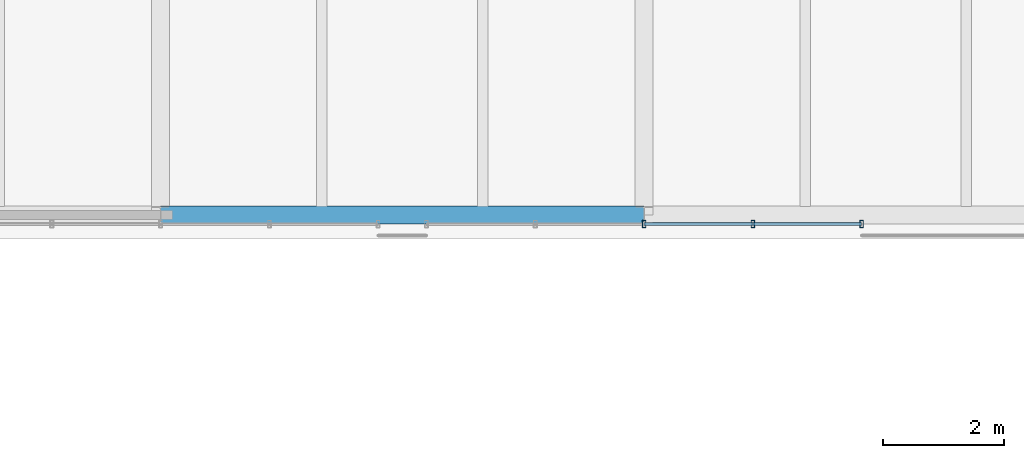
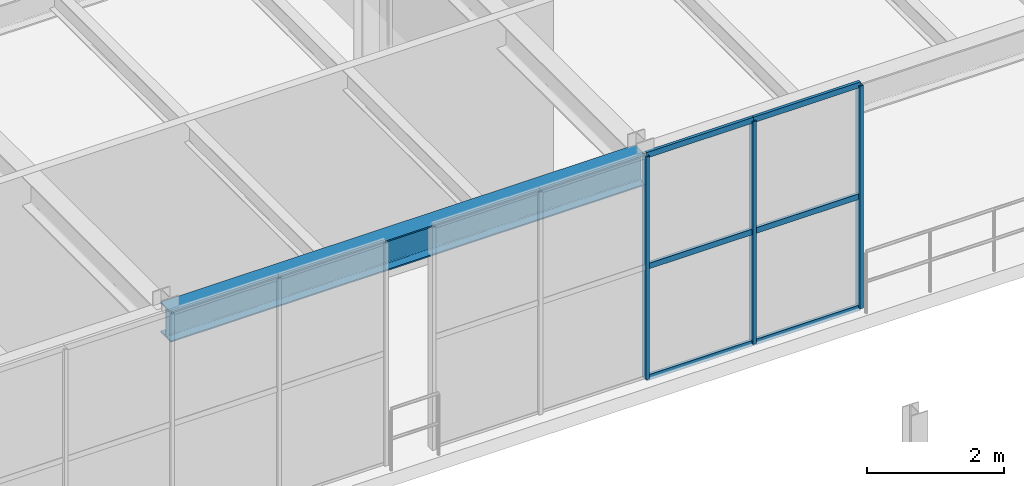
# One storey, part 48 of 122: 9 members, 1 beam, 1 element without a shape of its own.
"""IFC4 building model written with IfcOpenShell, lengths in metres."""

import ifcopenshell
import ifcopenshell.guid

model = None  # the IFC model being written
_history = None  # IfcOwnerHistory: only IFC2X3 demands one
_inside = {}  # id of a spatial element -> (the spatial element, [elements in it])
_under = {}  # id of a project, library or spatial element -> (it, [spatial elements below it])
_declared = {}  # id of a project -> (the project, [libraries it declares])
_typed = {}  # id of a type object -> (the type object, [elements of that type])
_made_of = {}  # id of a material, layer set ... -> (it, [elements and type objects made of it])


def new_model(schema):
    """Start an empty IFC model of exactly this schema.

    Asked for "IFC4X3", IfcOpenShell would pick the latest addendum, in which some entities
    have other attributes; the version numbers below select the first issue.
    IFC2X3 requires an IfcOwnerHistory on every rooted entity: one is made here for all.
    """
    global model, _history
    if schema == "IFC4X3":
        model = ifcopenshell.file(schema_version=(4, 3, 0, 0))
    else:
        model = ifcopenshell.file(schema=schema)
    _inside.clear()
    _under.clear()
    _declared.clear()
    _typed.clear()
    _made_of.clear()
    _history = None
    if model.schema == "IFC2X3":
        org = make("IfcOrganization", Name="unknown")
        user = make(
            "IfcPersonAndOrganization",
            ThePerson=make("IfcPerson", FamilyName="unknown"),
            TheOrganization=org,
        )
        app = make(
            "IfcApplication",
            ApplicationDeveloper=org,
            Version="unknown",
            ApplicationFullName="unknown",
            ApplicationIdentifier="unknown",
        )
        _history = make(
            "IfcOwnerHistory",
            OwningUser=user,
            OwningApplication=app,
            ChangeAction="ADDED",
            CreationDate=0,
        )
    return model


def make(cls, **values):
    """One entity of the class cls with the attributes given. An attribute that is None is left unset."""
    return model.create_entity(
        cls, **{name: value for name, value in values.items() if value is not None}
    )


def rooted(cls, **values):
    """An entity with a GlobalId (a new one), such as an element, a storey or a relation."""
    return make(cls, GlobalId=ifcopenshell.guid.new(), OwnerHistory=_history, **values)


def si_unit(unit_type, name, prefix=None):
    """IfcSIUnit, for example si_unit("LENGTHUNIT", "METRE", prefix="MILLI")."""
    return make("IfcSIUnit", UnitType=unit_type, Prefix=prefix, Name=name)


def assignment(units):
    """IfcUnitAssignment: the units of a project."""
    return None if units is None else make("IfcUnitAssignment", Units=units)


def point(xyz):
    """IfcCartesianPoint."""
    return None if xyz is None else make("IfcCartesianPoint", Coordinates=xyz)


def direction(xyz):
    """IfcDirection."""
    return None if xyz is None else make("IfcDirection", DirectionRatios=xyz)


def frame(location, z_axis=None, x_axis=None):
    """IfcAxis2Placement3D, a coordinate frame: its origin and axes. An axis left out is left unset."""
    return make(
        "IfcAxis2Placement3D",
        Location=point(location),
        Axis=direction(z_axis),
        RefDirection=direction(x_axis),
    )


def frame_2d(location, x_axis=None):
    """IfcAxis2Placement2D, a coordinate frame in the plane: its origin and x axis."""
    return make(
        "IfcAxis2Placement2D", Location=point(location), RefDirection=direction(x_axis)
    )


def origin():
    """The frame at (0, 0, 0) with its axes left unset."""
    return frame((0.0, 0.0, 0.0))


def origin_2d():
    """The frame at (0, 0) in the plane with its x axis left unset."""
    return frame_2d((0.0, 0.0))


def place(relative_to, where):
    """IfcLocalPlacement: puts the frame where relative to a parent placement (None: the world)."""
    return make(
        "IfcLocalPlacement", PlacementRelTo=relative_to, RelativePlacement=where
    )


def context(
    kind, dimensions, precision=None, world=None, true_north=None, identifier=None
):
    """IfcGeometricRepresentationContext, for example the 3D "Model" context."""
    return make(
        "IfcGeometricRepresentationContext",
        ContextIdentifier=identifier,
        ContextType=kind,
        CoordinateSpaceDimension=dimensions,
        Precision=precision,
        WorldCoordinateSystem=world,
        TrueNorth=true_north,
    )


def subcontext(parent, identifier, kind, view, scale=None):
    """IfcGeometricRepresentationSubContext, for example "Body" below "Model"."""
    return make(
        "IfcGeometricRepresentationSubContext",
        ContextIdentifier=identifier,
        ContextType=kind,
        ParentContext=parent,
        TargetScale=scale,
        TargetView=view,
    )


def project(units=None, contexts=None):
    """IfcProject with its units and contexts."""
    return rooted(
        "IfcProject",
        Name="project",
        RepresentationContexts=contexts,
        UnitsInContext=assignment(units),
    )


def spatial(cls, under=None, at=None, **own):
    """A site, building, storey or space (cls), placed at a placement, below another one or the project."""
    s = rooted(cls, ObjectPlacement=at, **own)
    if under is not None:
        _under.setdefault(under.id(), (under, []))[1].append(s)
    return s


def profile(cls, at=None, kind="AREA", **sizes):
    """A parametric profile (cls). Its sizes go by their IFC names, for example OverallWidth=200.0."""
    return make(cls, ProfileType=kind, Position=at, **sizes)


def hollow_rectangle(**sizes):
    """IfcRectangleHollowProfileDef."""
    return profile("IfcRectangleHollowProfileDef", **sizes)


def i_section(**sizes):
    """IfcIShapeProfileDef."""
    return profile("IfcIShapeProfileDef", **sizes)


def extrude(swept, where, along, depth):
    """IfcExtrudedAreaSolid: the profile swept, set in the frame where, extruded along a direction by depth."""
    return make(
        "IfcExtrudedAreaSolid",
        SweptArea=swept,
        Position=where,
        ExtrudedDirection=direction(along),
        Depth=depth,
    )


def shape(context_of_items, identifier, shape_type, items):
    """IfcShapeRepresentation: the items that make up one representation, for example the "Body"."""
    return make(
        "IfcShapeRepresentation",
        ContextOfItems=context_of_items,
        RepresentationIdentifier=identifier,
        RepresentationType=shape_type,
        Items=items,
    )


def material(Name=None, Category=None):
    """IfcMaterial."""
    return make("IfcMaterial", Name=Name, Category=Category)


def material_profile(
    of_material, cross_section, Name=None, Category=None, Priority=None
):
    """IfcMaterialProfile: a cross section and its material."""
    return make(
        "IfcMaterialProfile",
        Name=Name,
        Material=of_material,
        Profile=cross_section,
        Priority=Priority,
        Category=Category,
    )


def profile_set(profiles, Name=None, composite=None):
    """IfcMaterialProfileSet."""
    return make(
        "IfcMaterialProfileSet",
        Name=Name,
        MaterialProfiles=profiles,
        CompositeProfile=composite,
    )


def made_of(thing, what):
    """Note that an element or type object is made of a material, layer set ...; save() writes the relation."""
    if what is not None:
        _made_of.setdefault(what.id(), (what, []))[1].append(thing)
    return thing


def type_object(cls, material=None, **own):
    """A type object (cls), such as IfcWallType, which elements share."""
    return made_of(rooted(cls, **own), material)


def element(
    cls,
    number,
    at=None,
    inside=None,
    cuts=None,
    type_object=None,
    material=None,
    context=None,
    identifier="Body",
    shape_type=None,
    held_by="IfcProductDefinitionShape",
    body=None,
    shapes=None,
    **own,
):
    """One element of the class cls, such as IfcWall. Its Tag is "e" and its number.

    at: its placement. inside: the storey or other place that contains it. cuts: it is an
    opening in that element (IfcRelVoidsElement). A single representation is given by context,
    identifier, shape_type and body (its items); several are given by shapes. held_by: the class
    of the entity that holds the representations. save() writes the other relations.
    """
    e = rooted(cls, Tag="e%d" % number, ObjectPlacement=at, **own)
    if body is not None:
        shapes = [shape(context, identifier, shape_type, body)]
    if shapes is not None:
        e.Representation = make(held_by, Representations=shapes)
    if inside is not None:
        _inside.setdefault(inside.id(), (inside, []))[1].append(e)
    if cuts is not None:
        rooted(
            "IfcRelVoidsElement", RelatingBuildingElement=cuts, RelatedOpeningElement=e
        )
    if type_object is not None:
        _typed.setdefault(type_object.id(), (type_object, []))[1].append(e)
    return made_of(e, material)


def aggregate(whole, parts):
    """IfcRelAggregates: a whole, such as a stair, and the parts it consists of."""
    return rooted("IfcRelAggregates", RelatingObject=whole, RelatedObjects=parts)


def save(model, path):
    """Write the relations noted so far, then the file.

    IfcRelAggregates (storeys below a building ...), IfcRelContainedInSpatialStructure (elements
    in a storey), IfcRelDefinesByType, IfcRelAssociatesMaterial and IfcRelDeclares: one each for
    every whole, place, type object, material and project.
    """
    for whole, parts in _under.values():
        aggregate(whole, parts)
    for where, things in _inside.values():
        rooted(
            "IfcRelContainedInSpatialStructure",
            RelatedElements=things,
            RelatingStructure=where,
        )
    for kind, things in _typed.values():
        rooted("IfcRelDefinesByType", RelatedObjects=things, RelatingType=kind)
    for what, things in _made_of.values():
        rooted("IfcRelAssociatesMaterial", RelatedObjects=things, RelatingMaterial=what)
    for by, libraries in _declared.values():
        rooted("IfcRelDeclares", RelatingContext=by, RelatedDefinitions=libraries)
    model.write(path)


model = new_model("IFC4")

# Units and contexts
model_context = context("Model", 3, precision=1e-05, world=origin(), true_north=direction((0.0, 1.0)))
body_context = subcontext(model_context, "Body", "Model", "MODEL_VIEW")
ifc_project = project(units=[si_unit("LENGTHUNIT", "METRE"), si_unit("AREAUNIT", "SQUARE_METRE"), si_unit("VOLUMEUNIT", "CUBIC_METRE"), si_unit("PLANEANGLEUNIT", "RADIAN"), si_unit("MASSUNIT", "GRAM", prefix="KILO")], contexts=[model_context])

# Site, building, storey
site_placement = place(None, origin())
site = spatial("IfcSite", under=ifc_project, at=site_placement, CompositionType="ELEMENT")
building_placement = place(site_placement, origin())
building = spatial("IfcBuilding", under=site, at=building_placement, Name="Sundkrona Museum", CompositionType="ELEMENT")
storey_placement = place(building_placement, frame((0.0, 0.0, 5.39990234375)))
storey = spatial("IfcBuildingStorey", under=building, at=storey_placement, Name="L01", CompositionType="ELEMENT", Elevation=5.39990234375)

# Beam
ifc_material_1 = material(Name="Steel S355J2", Category="steel")
ifc_material_profile_1 = material_profile(ifc_material_1, i_section(OverallWidth=0.300048828125, OverallDepth=0.5400390625, WebThickness=0.012451171875, FlangeThickness=0.02392578125, FilletRadius=0.027099609375, at=origin_2d()), Name="HEA 550")
ifc_profile_set_1 = profile_set([ifc_material_profile_1], Name="Steel S355J2")
beam_type = type_object("IfcBeamType", Name="B-HEA550", PredefinedType="BEAM", material=ifc_profile_set_1)
beam_placement = place(storey_placement, frame((32.0, 94.0, 3.690185546875), z_axis=(1.0, 0.0, 0.0), x_axis=(0.0, 1.0, 0.0)))
element("IfcBeam", 1, at=beam_placement, inside=storey, type_object=beam_type, Name="L01 Girder X-0910", PredefinedType="BEAM", context=body_context, shape_type="SweptSolid", body=[
    extrude(i_section(OverallWidth=0.300048828125, OverallDepth=0.5400390625, WebThickness=0.012451171875, FlangeThickness=0.02392578125, FilletRadius=0.027099609375, at=origin_2d()), origin(), (0.0, 0.0, 1.0), 8.0),
])

# Curtain wall, members
ifc_material_2 = material(Name="Unitised Aluminium-Steel and Ceramic-Clad Curtain Walling", Category="steel")
curtain_wall_type = type_object("IfcCurtainWallType", Name="CW-CL-64x38", PredefinedType="NOTDEFINED", material=ifc_material_2)
curtain_wall_placement = place(storey_placement, origin())
curtain_wall = element("IfcCurtainWall", 2, at=curtain_wall_placement, inside=storey, type_object=curtain_wall_type, Name="L01 Curtain Wall CW-L01-129", PredefinedType="NOTDEFINED")
ifc_material_3 = material(Name="Aluminium EN AW-6060 T66", Category="aluminium")
ifc_material_profile_2 = material_profile(ifc_material_3, hollow_rectangle(XDim=0.06005859375, YDim=0.1201171875, WallThickness=0.0048828125, at=origin_2d()), Name="RHS 120x60x5.0")
ifc_profile_set_2 = profile_set([ifc_material_profile_2], Name="Aluminium EN AW-6060 T66")
member_type_1 = type_object("IfcMemberType", Name="ML-120", PredefinedType="MULLION", material=ifc_profile_set_2)
member_1_placement = place(storey_placement, frame((40.0, 93.85009765625, -0.00390625), z_axis=(0.0, 0.0, 1.0), x_axis=(1.0, 0.0, 0.0)))
member_1 = element("IfcMember", 3, at=member_1_placement, type_object=member_type_1, Name="CW-L01-129 Mullion 03", PredefinedType="MULLION", context=body_context, shape_type="SweptSolid", body=[
    extrude(hollow_rectangle(XDim=0.06005859375, YDim=0.1201171875, WallThickness=0.0048828125, at=origin_2d()), origin(), (0.0, 0.0, 1.0), 3.968017578125),
])
member_2_placement = place(storey_placement, frame((41.800048828125, 93.85009765625, -0.00390625), z_axis=(0.0, 0.0, 1.0), x_axis=(1.0, 0.0, 0.0)))
member_2 = element("IfcMember", 4, at=member_2_placement, type_object=member_type_1, Name="CW-L01-129 Mullion 04", PredefinedType="MULLION", context=body_context, shape_type="SweptSolid", body=[
    extrude(hollow_rectangle(XDim=0.06005859375, YDim=0.1201171875, WallThickness=0.0048828125, at=origin_2d()), origin(), (0.0, 0.0, 1.0), 3.968017578125),
])
member_3_placement = place(storey_placement, frame((43.60009765625, 93.85009765625, -0.00390625), z_axis=(0.0, 0.0, 1.0), x_axis=(1.0, 0.0, 0.0)))
member_3 = element("IfcMember", 5, at=member_3_placement, type_object=member_type_1, Name="CW-L01-129 Mullion 05", PredefinedType="MULLION", context=body_context, shape_type="SweptSolid", body=[
    extrude(hollow_rectangle(XDim=0.06005859375, YDim=0.1201171875, WallThickness=0.0048828125, at=origin_2d()), origin(), (0.0, 0.0, 1.0), 3.968017578125),
])
ifc_material_profile_3 = material_profile(ifc_material_3, hollow_rectangle(XDim=0.050048828125, YDim=0.10009765625, WallThickness=0.0048828125, at=origin_2d()), Name="RHS 100x50x5.0")
ifc_profile_set_3 = profile_set([ifc_material_profile_3], Name="Aluminium EN AW-6060 T66")
member_type_2 = type_object("IfcMemberType", Name="TR-100", PredefinedType="USERDEFINED", material=ifc_profile_set_3)
member_4_placement = place(storey_placement, frame((40.0, 93.85009765625, -0.00390625), z_axis=(1.0, 0.0, 0.0), x_axis=(0.0, 1.0, 0.0)))
member_4 = element("IfcMember", 6, at=member_4_placement, type_object=member_type_2, Name="CW-L01-129 Transom 07", ObjectType="TRANSOM", PredefinedType="USERDEFINED", context=body_context, shape_type="SweptSolid", body=[
    extrude(hollow_rectangle(XDim=0.050048828125, YDim=0.10009765625, WallThickness=0.0048828125, at=origin_2d()), origin(), (0.0, 0.0, 1.0), 1.800048828125),
])
member_5_placement = place(storey_placement, frame((40.0, 93.85009765625, 1.97998046875), z_axis=(1.0, 0.0, 0.0), x_axis=(0.0, 1.0, 0.0)))
member_5 = element("IfcMember", 7, at=member_5_placement, type_object=member_type_2, Name="CW-L01-129 Transom 08", ObjectType="TRANSOM", PredefinedType="USERDEFINED", context=body_context, shape_type="SweptSolid", body=[
    extrude(hollow_rectangle(XDim=0.050048828125, YDim=0.10009765625, WallThickness=0.0048828125, at=origin_2d()), origin(), (0.0, 0.0, 1.0), 1.800048828125),
])
member_6_placement = place(storey_placement, frame((40.0, 93.85009765625, 3.964111328125), z_axis=(1.0, 0.0, 0.0), x_axis=(0.0, 1.0, 0.0)))
member_6 = element("IfcMember", 8, at=member_6_placement, type_object=member_type_2, Name="CW-L01-129 Transom 09", ObjectType="TRANSOM", PredefinedType="USERDEFINED", context=body_context, shape_type="SweptSolid", body=[
    extrude(hollow_rectangle(XDim=0.050048828125, YDim=0.10009765625, WallThickness=0.0048828125, at=origin_2d()), origin(), (0.0, 0.0, 1.0), 1.800048828125),
])
member_7_placement = place(storey_placement, frame((41.800048828125, 93.85009765625, -0.00390625), z_axis=(1.0, 0.0, 0.0), x_axis=(0.0, 1.0, 0.0)))
member_7 = element("IfcMember", 9, at=member_7_placement, type_object=member_type_2, Name="CW-L01-129 Transom 10", ObjectType="TRANSOM", PredefinedType="USERDEFINED", context=body_context, shape_type="SweptSolid", body=[
    extrude(hollow_rectangle(XDim=0.050048828125, YDim=0.10009765625, WallThickness=0.0048828125, at=origin_2d()), origin(), (0.0, 0.0, 1.0), 1.800048828125),
])
member_8_placement = place(storey_placement, frame((41.800048828125, 93.85009765625, 1.97998046875), z_axis=(1.0, 0.0, 0.0), x_axis=(0.0, 1.0, 0.0)))
member_8 = element("IfcMember", 10, at=member_8_placement, type_object=member_type_2, Name="CW-L01-129 Transom 11", ObjectType="TRANSOM", PredefinedType="USERDEFINED", context=body_context, shape_type="SweptSolid", body=[
    extrude(hollow_rectangle(XDim=0.050048828125, YDim=0.10009765625, WallThickness=0.0048828125, at=origin_2d()), origin(), (0.0, 0.0, 1.0), 1.800048828125),
])
member_9_placement = place(storey_placement, frame((41.800048828125, 93.85009765625, 3.964111328125), z_axis=(1.0, 0.0, 0.0), x_axis=(0.0, 1.0, 0.0)))
member_9 = element("IfcMember", 11, at=member_9_placement, type_object=member_type_2, Name="CW-L01-129 Transom 12", ObjectType="TRANSOM", PredefinedType="USERDEFINED", context=body_context, shape_type="SweptSolid", body=[
    extrude(hollow_rectangle(XDim=0.050048828125, YDim=0.10009765625, WallThickness=0.0048828125, at=origin_2d()), origin(), (0.0, 0.0, 1.0), 1.800048828125),
])
aggregate(curtain_wall, [member_1, member_2, member_3, member_4, member_5, member_6, member_7, member_8, member_9])

save(model, "model.ifc")
